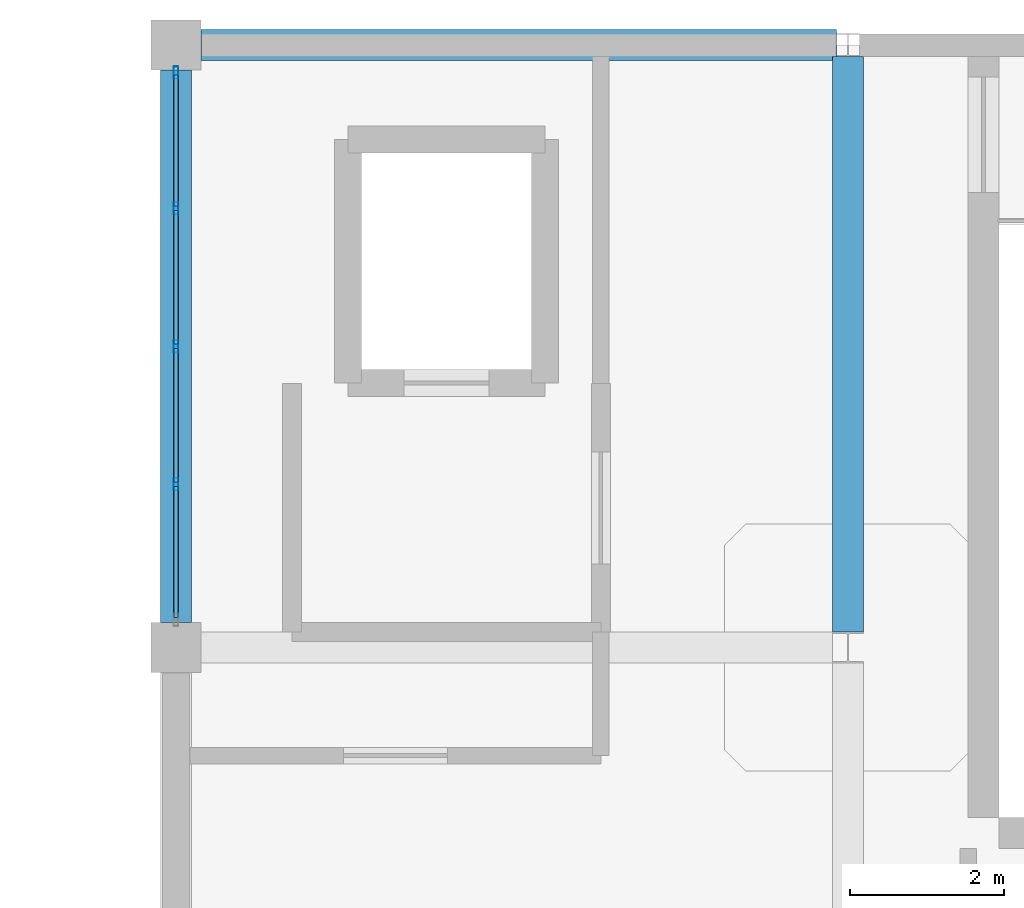
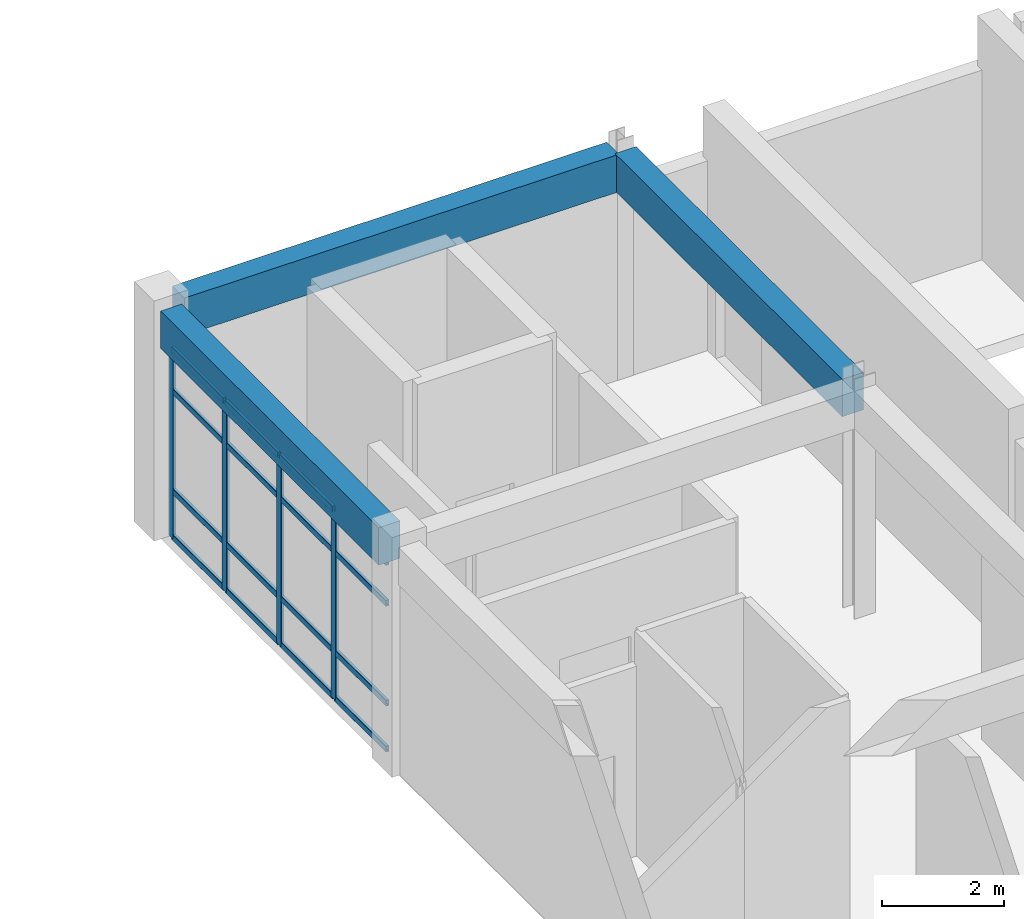
# One storey, part 30 of 41: 20 members, 3 beams, 1 element without a shape of its own.
"""IFC4 building model written with IfcOpenShell, lengths in metres."""

from ifc_helpers import new_model, si_unit, derived_unit, direction, frame, origin, origin_2d, place, context, subcontext, project, spatial, rectangle, hollow_rectangle, extrude, material, layer, layer_set, material_profile, profile_set, type_object, element, aggregate, save


model = new_model("IFC4")

# Units and contexts
model_context = context("Model", 3, precision=1e-05, world=origin(), true_north=direction((0.0, 1.0)))
body_context = subcontext(model_context, "Body", "Model", "MODEL_VIEW")
ifc_project = project(units=[si_unit("LENGTHUNIT", "METRE"), si_unit("AREAUNIT", "SQUARE_METRE"), si_unit("VOLUMEUNIT", "CUBIC_METRE"), si_unit("PLANEANGLEUNIT", "RADIAN"), si_unit("MASSUNIT", "GRAM", prefix="KILO"), derived_unit("THERMALTRANSMITTANCEUNIT", [(si_unit("MASSUNIT", "GRAM", prefix="KILO"), 1), (si_unit("TIMEUNIT", "SECOND"), -3), (si_unit("THERMODYNAMICTEMPERATUREUNIT", "KELVIN"), -1)])], contexts=[model_context])

# Site, building, storey
site_placement = place(None, origin())
site = spatial("IfcSite", under=ifc_project, at=site_placement, CompositionType="ELEMENT")
building_placement = place(site_placement, origin())
building = spatial("IfcBuilding", under=site, at=building_placement, Name="Qinzheling Arcade Emporium", CompositionType="ELEMENT")
storey_placement = place(building_placement, frame((0.0, 0.0, 36.300048828125)))
storey = spatial("IfcBuildingStorey", under=building, at=storey_placement, Name="L08", CompositionType="ELEMENT", Elevation=36.300048828125)

# Curtain wall, members
ifc_material_1 = material(Name="Anodised aluminium and solar-control double glazing", Category="aluminium")
ifc_layer = layer(ifc_material_1, 0.159912109375, Name="Anodised aluminium and solar-control double glazing", Category="aluminium")
ifc_layer_set = layer_set([ifc_layer], Name="Anodised aluminium and solar-control double glazing")
curtain_wall_type = type_object("IfcCurtainWallType", Name="Arcade Portal Glazed Curtain Wall", PredefinedType="NOTDEFINED", material=ifc_layer_set)
curtain_wall_placement = place(storey_placement, origin())
curtain_wall = element("IfcCurtainWall", 1, at=curtain_wall_placement, inside=storey, type_object=curtain_wall_type, Name="Curtain Wall CW-L08-447", PredefinedType="NOTDEFINED")
ifc_material_2 = material(Name="Anodised aluminium 6063-T6", Category="aluminium")
ifc_material_profile_1 = material_profile(ifc_material_2, hollow_rectangle(XDim=0.06005859375, YDim=0.159912109375, WallThickness=0.00390625, InnerFilletRadius=0.00390625, OuterFilletRadius=0.008056640625, at=origin_2d()), Name="RHS 160x60x4", Category="aluminium")
ifc_profile_set_1 = profile_set([ifc_material_profile_1], Name="Anodised aluminium 6063-T6")
member_type_1 = type_object("IfcMemberType", Name="Curtain Wall Mullion RHS160x60", PredefinedType="MULLION", material=ifc_profile_set_1)
member_1_placement = place(storey_placement, frame((104.39990234375, 101.113525390625, 0.0), z_axis=(0.0, 0.0, 1.0), x_axis=(-1.0, 0.0, 0.0)))
member_1 = element("IfcMember", 2, at=member_1_placement, type_object=member_type_1, Name="CW05 mullion 2", PredefinedType="MULLION", context=body_context, shape_type="SweptSolid", body=[
    extrude(hollow_rectangle(XDim=0.06005859375, YDim=0.159912109375, WallThickness=0.00390625, InnerFilletRadius=0.00390625, OuterFilletRadius=0.008056640625, at=origin_2d()), origin(), (0.0, 0.0, 1.0), 3.794921875),
])
member_2_placement = place(storey_placement, frame((104.39990234375, 102.89990234375, 0.0), z_axis=(0.0, 0.0, 1.0), x_axis=(-1.0, 0.0, 0.0)))
member_2 = element("IfcMember", 3, at=member_2_placement, type_object=member_type_1, Name="CW05 mullion 3", PredefinedType="MULLION", context=body_context, shape_type="SweptSolid", body=[
    extrude(hollow_rectangle(XDim=0.06005859375, YDim=0.159912109375, WallThickness=0.00390625, InnerFilletRadius=0.00390625, OuterFilletRadius=0.008056640625, at=origin_2d()), origin(), (0.0, 0.0, 1.0), 3.794921875),
])
member_3_placement = place(storey_placement, frame((104.39990234375, 104.6865234375, 0.0), z_axis=(0.0, 0.0, 1.0), x_axis=(-1.0, 0.0, 0.0)))
member_3 = element("IfcMember", 4, at=member_3_placement, type_object=member_type_1, Name="CW05 mullion 4", PredefinedType="MULLION", context=body_context, shape_type="SweptSolid", body=[
    extrude(hollow_rectangle(XDim=0.06005859375, YDim=0.159912109375, WallThickness=0.00390625, InnerFilletRadius=0.00390625, OuterFilletRadius=0.008056640625, at=origin_2d()), origin(), (0.0, 0.0, 1.0), 3.794921875),
])
member_4_placement = place(storey_placement, frame((104.39990234375, 106.443115234375, 0.0), z_axis=(0.0, 0.0, 1.0), x_axis=(-1.0, 0.0, 0.0)))
member_4 = element("IfcMember", 5, at=member_4_placement, type_object=member_type_1, Name="CW05 mullion 5", PredefinedType="MULLION", context=body_context, shape_type="SweptSolid", body=[
    extrude(hollow_rectangle(XDim=0.06005859375, YDim=0.159912109375, WallThickness=0.00390625, InnerFilletRadius=0.00390625, OuterFilletRadius=0.008056640625, at=origin_2d()), origin(), (0.0, 0.0, 1.0), 3.794921875),
])
ifc_material_profile_2 = material_profile(ifc_material_2, hollow_rectangle(XDim=0.06005859375, YDim=0.1201171875, WallThickness=0.00390625, InnerFilletRadius=0.00390625, OuterFilletRadius=0.008056640625, at=origin_2d()), Name="RHS 120x60x4", Category="aluminium")
ifc_profile_set_2 = profile_set([ifc_material_profile_2], Name="Anodised aluminium 6063-T6")
member_type_2 = type_object("IfcMemberType", Name="Curtain Wall Transom RHS120x60", PredefinedType="USERDEFINED", material=ifc_profile_set_2)
member_5_placement = place(storey_placement, frame((104.39990234375, 99.386962890625, 0.030029296875), z_axis=(0.0, 1.0, 0.0), x_axis=(-1.0, 0.0, 0.0)))
member_5 = element("IfcMember", 6, at=member_5_placement, type_object=member_type_2, Name="CW05 transom 1.1", ObjectType="TRANSOM", PredefinedType="USERDEFINED", context=body_context, shape_type="SweptSolid", body=[
    extrude(hollow_rectangle(XDim=0.06005859375, YDim=0.1201171875, WallThickness=0.00390625, InnerFilletRadius=0.00390625, OuterFilletRadius=0.008056640625, at=origin_2d()), origin(), (0.0, 0.0, 1.0), 1.696533203125),
])
member_6_placement = place(storey_placement, frame((104.39990234375, 99.386962890625, 0.949951171875), z_axis=(0.0, 1.0, 0.0), x_axis=(-1.0, 0.0, 0.0)))
member_6 = element("IfcMember", 7, at=member_6_placement, type_object=member_type_2, Name="CW05 transom 1.2", ObjectType="TRANSOM", PredefinedType="USERDEFINED", context=body_context, shape_type="SweptSolid", body=[
    extrude(hollow_rectangle(XDim=0.06005859375, YDim=0.1201171875, WallThickness=0.00390625, InnerFilletRadius=0.00390625, OuterFilletRadius=0.008056640625, at=origin_2d()), origin(), (0.0, 0.0, 1.0), 1.696533203125),
])
member_7_placement = place(storey_placement, frame((104.39990234375, 99.386962890625, 2.945068359375), z_axis=(0.0, 1.0, 0.0), x_axis=(-1.0, 0.0, 0.0)))
member_7 = element("IfcMember", 8, at=member_7_placement, type_object=member_type_2, Name="CW05 transom 1.3", ObjectType="TRANSOM", PredefinedType="USERDEFINED", context=body_context, shape_type="SweptSolid", body=[
    extrude(hollow_rectangle(XDim=0.06005859375, YDim=0.1201171875, WallThickness=0.00390625, InnerFilletRadius=0.00390625, OuterFilletRadius=0.008056640625, at=origin_2d()), origin(), (0.0, 0.0, 1.0), 1.696533203125),
])
member_8_placement = place(storey_placement, frame((104.39990234375, 99.386962890625, 3.764892578125), z_axis=(0.0, 1.0, 0.0), x_axis=(-1.0, 0.0, 0.0)))
member_8 = element("IfcMember", 9, at=member_8_placement, type_object=member_type_2, Name="CW05 transom 1.4", ObjectType="TRANSOM", PredefinedType="USERDEFINED", context=body_context, shape_type="SweptSolid", body=[
    extrude(hollow_rectangle(XDim=0.06005859375, YDim=0.1201171875, WallThickness=0.00390625, InnerFilletRadius=0.00390625, OuterFilletRadius=0.008056640625, at=origin_2d()), origin(), (0.0, 0.0, 1.0), 1.696533203125),
])
member_9_placement = place(storey_placement, frame((104.39990234375, 101.1435546875, 0.030029296875), z_axis=(0.0, 1.0, 0.0), x_axis=(-1.0, 0.0, 0.0)))
member_9 = element("IfcMember", 10, at=member_9_placement, type_object=member_type_2, Name="CW05 transom 2.1", ObjectType="TRANSOM", PredefinedType="USERDEFINED", context=body_context, shape_type="SweptSolid", body=[
    extrude(hollow_rectangle(XDim=0.06005859375, YDim=0.1201171875, WallThickness=0.00390625, InnerFilletRadius=0.00390625, OuterFilletRadius=0.008056640625, at=origin_2d()), origin(), (0.0, 0.0, 1.0), 1.7265625),
])
member_10_placement = place(storey_placement, frame((104.39990234375, 101.1435546875, 0.949951171875), z_axis=(0.0, 1.0, 0.0), x_axis=(-1.0, 0.0, 0.0)))
member_10 = element("IfcMember", 11, at=member_10_placement, type_object=member_type_2, Name="CW05 transom 2.2", ObjectType="TRANSOM", PredefinedType="USERDEFINED", context=body_context, shape_type="SweptSolid", body=[
    extrude(hollow_rectangle(XDim=0.06005859375, YDim=0.1201171875, WallThickness=0.00390625, InnerFilletRadius=0.00390625, OuterFilletRadius=0.008056640625, at=origin_2d()), origin(), (0.0, 0.0, 1.0), 1.7265625),
])
member_11_placement = place(storey_placement, frame((104.39990234375, 101.1435546875, 2.945068359375), z_axis=(0.0, 1.0, 0.0), x_axis=(-1.0, 0.0, 0.0)))
member_11 = element("IfcMember", 12, at=member_11_placement, type_object=member_type_2, Name="CW05 transom 2.3", ObjectType="TRANSOM", PredefinedType="USERDEFINED", context=body_context, shape_type="SweptSolid", body=[
    extrude(hollow_rectangle(XDim=0.06005859375, YDim=0.1201171875, WallThickness=0.00390625, InnerFilletRadius=0.00390625, OuterFilletRadius=0.008056640625, at=origin_2d()), origin(), (0.0, 0.0, 1.0), 1.7265625),
])
member_12_placement = place(storey_placement, frame((104.39990234375, 101.1435546875, 3.764892578125), z_axis=(0.0, 1.0, 0.0), x_axis=(-1.0, 0.0, 0.0)))
member_12 = element("IfcMember", 13, at=member_12_placement, type_object=member_type_2, Name="CW05 transom 2.4", ObjectType="TRANSOM", PredefinedType="USERDEFINED", context=body_context, shape_type="SweptSolid", body=[
    extrude(hollow_rectangle(XDim=0.06005859375, YDim=0.1201171875, WallThickness=0.00390625, InnerFilletRadius=0.00390625, OuterFilletRadius=0.008056640625, at=origin_2d()), origin(), (0.0, 0.0, 1.0), 1.7265625),
])
member_13_placement = place(storey_placement, frame((104.39990234375, 102.929931640625, 0.030029296875), z_axis=(0.0, 1.0, 0.0), x_axis=(-1.0, 0.0, 0.0)))
member_13 = element("IfcMember", 14, at=member_13_placement, type_object=member_type_2, Name="CW05 transom 3.1", ObjectType="TRANSOM", PredefinedType="USERDEFINED", context=body_context, shape_type="SweptSolid", body=[
    extrude(hollow_rectangle(XDim=0.06005859375, YDim=0.1201171875, WallThickness=0.00390625, InnerFilletRadius=0.00390625, OuterFilletRadius=0.008056640625, at=origin_2d()), origin(), (0.0, 0.0, 1.0), 1.7265625),
])
member_14_placement = place(storey_placement, frame((104.39990234375, 102.929931640625, 0.949951171875), z_axis=(0.0, 1.0, 0.0), x_axis=(-1.0, 0.0, 0.0)))
member_14 = element("IfcMember", 15, at=member_14_placement, type_object=member_type_2, Name="CW05 transom 3.2", ObjectType="TRANSOM", PredefinedType="USERDEFINED", context=body_context, shape_type="SweptSolid", body=[
    extrude(hollow_rectangle(XDim=0.06005859375, YDim=0.1201171875, WallThickness=0.00390625, InnerFilletRadius=0.00390625, OuterFilletRadius=0.008056640625, at=origin_2d()), origin(), (0.0, 0.0, 1.0), 1.7265625),
])
member_15_placement = place(storey_placement, frame((104.39990234375, 102.929931640625, 2.945068359375), z_axis=(0.0, 1.0, 0.0), x_axis=(-1.0, 0.0, 0.0)))
member_15 = element("IfcMember", 16, at=member_15_placement, type_object=member_type_2, Name="CW05 transom 3.3", ObjectType="TRANSOM", PredefinedType="USERDEFINED", context=body_context, shape_type="SweptSolid", body=[
    extrude(hollow_rectangle(XDim=0.06005859375, YDim=0.1201171875, WallThickness=0.00390625, InnerFilletRadius=0.00390625, OuterFilletRadius=0.008056640625, at=origin_2d()), origin(), (0.0, 0.0, 1.0), 1.7265625),
])
member_16_placement = place(storey_placement, frame((104.39990234375, 102.929931640625, 3.764892578125), z_axis=(0.0, 1.0, 0.0), x_axis=(-1.0, 0.0, 0.0)))
member_16 = element("IfcMember", 17, at=member_16_placement, type_object=member_type_2, Name="CW05 transom 3.4", ObjectType="TRANSOM", PredefinedType="USERDEFINED", context=body_context, shape_type="SweptSolid", body=[
    extrude(hollow_rectangle(XDim=0.06005859375, YDim=0.1201171875, WallThickness=0.00390625, InnerFilletRadius=0.00390625, OuterFilletRadius=0.008056640625, at=origin_2d()), origin(), (0.0, 0.0, 1.0), 1.7265625),
])
member_17_placement = place(storey_placement, frame((104.39990234375, 104.716552734375, 0.030029296875), z_axis=(0.0, 1.0, 0.0), x_axis=(-1.0, 0.0, 0.0)))
member_17 = element("IfcMember", 18, at=member_17_placement, type_object=member_type_2, Name="CW05 transom 4.1", ObjectType="TRANSOM", PredefinedType="USERDEFINED", context=body_context, shape_type="SweptSolid", body=[
    extrude(hollow_rectangle(XDim=0.06005859375, YDim=0.1201171875, WallThickness=0.00390625, InnerFilletRadius=0.00390625, OuterFilletRadius=0.008056640625, at=origin_2d()), origin(), (0.0, 0.0, 1.0), 1.696533203125),
])
member_18_placement = place(storey_placement, frame((104.39990234375, 104.716552734375, 0.949951171875), z_axis=(0.0, 1.0, 0.0), x_axis=(-1.0, 0.0, 0.0)))
member_18 = element("IfcMember", 19, at=member_18_placement, type_object=member_type_2, Name="CW05 transom 4.2", ObjectType="TRANSOM", PredefinedType="USERDEFINED", context=body_context, shape_type="SweptSolid", body=[
    extrude(hollow_rectangle(XDim=0.06005859375, YDim=0.1201171875, WallThickness=0.00390625, InnerFilletRadius=0.00390625, OuterFilletRadius=0.008056640625, at=origin_2d()), origin(), (0.0, 0.0, 1.0), 1.696533203125),
])
member_19_placement = place(storey_placement, frame((104.39990234375, 104.716552734375, 2.945068359375), z_axis=(0.0, 1.0, 0.0), x_axis=(-1.0, 0.0, 0.0)))
member_19 = element("IfcMember", 20, at=member_19_placement, type_object=member_type_2, Name="CW05 transom 4.3", ObjectType="TRANSOM", PredefinedType="USERDEFINED", context=body_context, shape_type="SweptSolid", body=[
    extrude(hollow_rectangle(XDim=0.06005859375, YDim=0.1201171875, WallThickness=0.00390625, InnerFilletRadius=0.00390625, OuterFilletRadius=0.008056640625, at=origin_2d()), origin(), (0.0, 0.0, 1.0), 1.696533203125),
])
member_20_placement = place(storey_placement, frame((104.39990234375, 104.716552734375, 3.764892578125), z_axis=(0.0, 1.0, 0.0), x_axis=(-1.0, 0.0, 0.0)))
member_20 = element("IfcMember", 21, at=member_20_placement, type_object=member_type_2, Name="CW05 transom 4.4", ObjectType="TRANSOM", PredefinedType="USERDEFINED", context=body_context, shape_type="SweptSolid", body=[
    extrude(hollow_rectangle(XDim=0.06005859375, YDim=0.1201171875, WallThickness=0.00390625, InnerFilletRadius=0.00390625, OuterFilletRadius=0.008056640625, at=origin_2d()), origin(), (0.0, 0.0, 1.0), 1.696533203125),
])
aggregate(curtain_wall, [member_1, member_2, member_3, member_4, member_5, member_6, member_7, member_8, member_9, member_10, member_11, member_12, member_13, member_14, member_15, member_16, member_17, member_18, member_19, member_20])

# Beams
ifc_material_3 = material(Name="Concrete C40", Category="concrete")
ifc_material_profile_3 = material_profile(ifc_material_3, rectangle(XDim=0.39990234375, YDim=0.75, at=origin_2d()), Name="RC 400x750", Category="concrete")
ifc_profile_set_3 = profile_set([ifc_material_profile_3], Name="Concrete C40")
beam_type = type_object("IfcBeamType", Name="RC Interior Tie Beam 400x750 C40", PredefinedType="BEAM", material=ifc_profile_set_3)
beam_1_placement = place(storey_placement, frame((104.72509765625, 106.800048828125, 4.18505859375), z_axis=(1.0, 0.0, 0.0), x_axis=(0.0, 1.0, 0.0)))
element("IfcBeam", 22, at=beam_1_placement, inside=storey, type_object=beam_type, Name="Beam BM-L08-X-N-13", PredefinedType="BEAM", context=body_context, shape_type="SweptSolid", body=[
    extrude(rectangle(XDim=0.39990234375, YDim=0.75, at=origin_2d()), origin(), (0.0, 0.0, 1.0), 8.224853515625),
])
beam_2_placement = place(storey_placement, frame((104.39990234375, 99.324951171875, 4.18505859375), z_axis=(0.0, 1.0, 0.0), x_axis=(-1.0, 0.0, 0.0)))
element("IfcBeam", 23, at=beam_2_placement, inside=storey, type_object=beam_type, Name="Beam BM-L08-Y-13-M", PredefinedType="BEAM", context=body_context, shape_type="SweptSolid", body=[
    extrude(rectangle(XDim=0.39990234375, YDim=0.75, at=origin_2d()), origin(), (0.0, 0.0, 1.0), 7.150146484375),
])
beam_3_placement = place(storey_placement, frame((113.10009765625, 99.199951171875, 4.18505859375), z_axis=(0.0, 1.0, 0.0), x_axis=(-1.0, 0.0, 0.0)))
element("IfcBeam", 24, at=beam_3_placement, inside=storey, type_object=beam_type, Name="Beam BM-L08-Y-14-M", PredefinedType="BEAM", context=body_context, shape_type="SweptSolid", body=[
    extrude(rectangle(XDim=0.39990234375, YDim=0.75, at=origin_2d()), origin(), (0.0, 0.0, 1.0), 7.449951171875),
])

save(model, "model.ifc")
